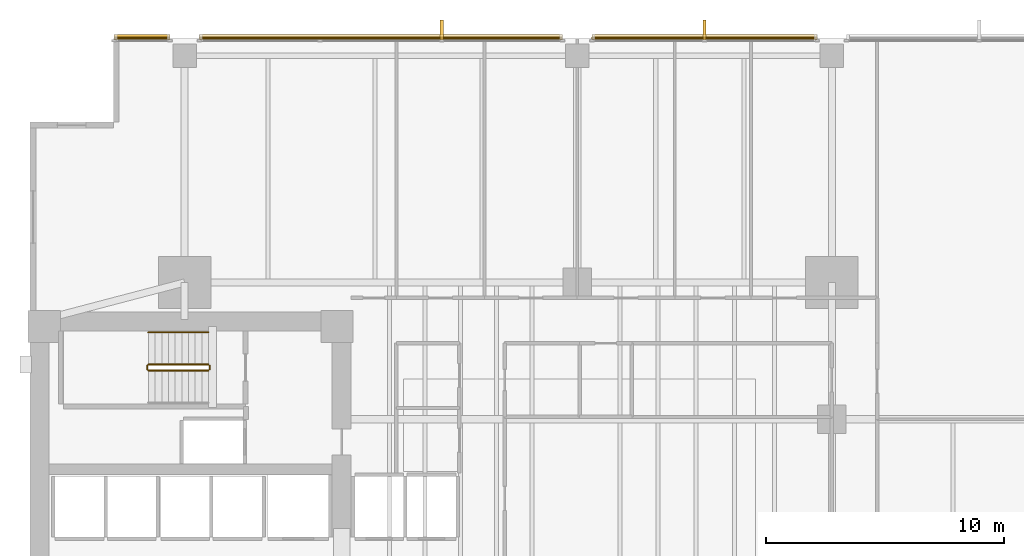
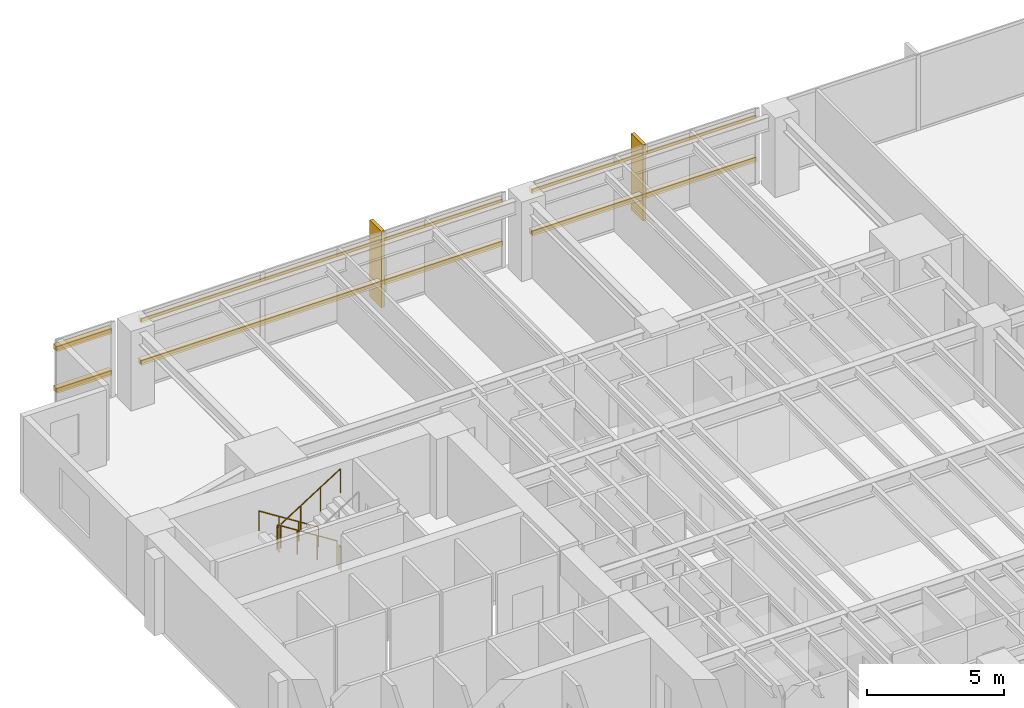
# One storey, part 14 of 15: 8 coverings, 6 shading devices, 5 railings.
"""IFC4 building model written with IfcOpenShell, lengths in metres."""

from ifc_helpers import new_model, si_unit, direction, frame, origin, origin_2d, place, context, subcontext, project, spatial, polyline, rectangle, circle, outline, extrude, material, layer, layer_set, material_profile, profile_set, type_object, element, save


model = new_model("IFC4")

# Units and contexts
model_context = context("Model", 3, precision=1e-05, world=origin(), true_north=direction((0.0, 1.0)))
body_context = subcontext(model_context, "Body", "Model", "MODEL_VIEW")
ifc_project = project(units=[si_unit("LENGTHUNIT", "METRE"), si_unit("AREAUNIT", "SQUARE_METRE"), si_unit("VOLUMEUNIT", "CUBIC_METRE"), si_unit("PLANEANGLEUNIT", "RADIAN"), si_unit("MASSUNIT", "GRAM", prefix="KILO")], contexts=[model_context])

# Site, building, storey
site_placement = place(None, origin())
site = spatial("IfcSite", under=ifc_project, at=site_placement, CompositionType="ELEMENT")
building_placement = place(site_placement, origin())
building = spatial("IfcBuilding", under=site, at=building_placement, Name="Kinhvarn Gate Tower", CompositionType="ELEMENT")
storey_placement = place(building_placement, frame((0.0, 0.0, 46.89990234375)))
storey = spatial("IfcBuildingStorey", under=building, at=storey_placement, Name="L11", CompositionType="ELEMENT", Elevation=46.89990234375)

# Coverings
ifc_material_1 = material(Name="Fired architectural terracotta", Category="masonry")
ifc_layer_1 = layer(ifc_material_1, 0.239990234375)
ifc_layer_set_1 = layer_set([ifc_layer_1], Name="Fired architectural terracotta")
covering_type_1 = type_object("IfcCoveringType", Name="COV-BAG-220", PredefinedType="CLADDING", material=ifc_layer_set_1)
for number, where, name in (
    (1, (0.0, 0.0, 0.940185546875), "Terracotta Horizontal Sunscreen Band TBG-220 (L11)"),
    (2, (0.0, 0.0, 2.81005859375), "Terracotta Horizontal Sunscreen Band TBG-220 (L11)"),
):
    element("IfcCovering", number, at=place(storey_placement, frame(where)), inside=storey, type_object=covering_type_1, Name=name, PredefinedType="CLADDING", context=body_context, shape_type="SweptSolid", body=[
        extrude(outline(polyline([(37.580078125, 47.93994140625), (28.1201171875, 47.93994140625), (28.1201171875, 48.179931640625), (37.580078125, 48.179931640625), (37.580078125, 47.93994140625)])), origin(), (0.0, 0.0, 1.0), 0.219970703125),
    ])
for number, where, name in (
    (3, (0.0, 0.0, 0.940185546875), "Terracotta Horizontal Sunscreen Band TBG-220 (L11)"),
    (4, (0.0, 0.0, 2.81005859375), "Terracotta Horizontal Sunscreen Band TBG-220 (L11)"),
):
    element("IfcCovering", number, at=place(storey_placement, frame(where)), inside=storey, type_object=covering_type_1, Name=name, PredefinedType="CLADDING", context=body_context, shape_type="SweptSolid", body=[
        extrude(outline(polyline([(26.8798828125, 47.93994140625), (11.6201171875, 47.93994140625), (11.6201171875, 48.179931640625), (26.8798828125, 48.179931640625), (26.8798828125, 47.93994140625)])), origin(), (0.0, 0.0, 1.0), 0.219970703125),
    ])
for number, where, name in (
    (5, (0.0, 0.0, 0.940185546875), "Terracotta Horizontal Sunscreen Band TBG-220 (L11)"),
    (6, (0.0, 0.0, 2.81005859375), "Terracotta Horizontal Sunscreen Band TBG-220 (L11)"),
):
    element("IfcCovering", number, at=place(storey_placement, frame(where)), inside=storey, type_object=covering_type_1, Name=name, PredefinedType="CLADDING", context=body_context, shape_type="SweptSolid", body=[
        extrude(outline(polyline([(10.3798828125, 47.93994140625), (8.0400390625, 47.93994140625), (8.0400390625, 48.179931640625), (10.3798828125, 48.179931640625), (10.3798828125, 47.93994140625)])), origin(), (0.0, 0.0, 1.0), 0.219970703125),
    ])
ifc_layer_2 = layer(ifc_material_1, 0.139892578125)
ifc_layer_set_2 = layer_set([ifc_layer_2], Name="Fired architectural terracotta")
covering_type_2 = type_object("IfcCoveringType", Name="COV-FIN-850", PredefinedType="CLADDING", material=ifc_layer_set_2)
covering_1_placement = place(storey_placement, frame((0.0, 0.0, -0.02001953125)))
element("IfcCovering", 7, at=covering_1_placement, inside=storey, type_object=covering_type_2, Name="Vertical Terracotta Expressive Fin TFN-850 (L11)", PredefinedType="CLADDING", context=body_context, shape_type="SweptSolid", body=[
    extrude(outline(polyline([(32.919921875, 47.929931640625), (32.780029296875, 47.929931640625), (32.780029296875, 48.780029296875), (32.919921875, 48.780029296875), (32.919921875, 47.929931640625)])), origin(), (0.0, 0.0, 1.0), 3.41015625),
])
covering_2_placement = place(storey_placement, frame((0.0, 0.0, -0.02001953125)))
element("IfcCovering", 8, at=covering_2_placement, inside=storey, type_object=covering_type_2, Name="Vertical Terracotta Expressive Fin TFN-850 (L11)", PredefinedType="CLADDING", context=body_context, shape_type="SweptSolid", body=[
    extrude(outline(polyline([(21.876708984375, 47.929931640625), (21.73681640625, 47.929931640625), (21.73681640625, 48.780029296875), (21.876708984375, 48.780029296875), (21.876708984375, 47.929931640625)])), origin(), (0.0, 0.0, 1.0), 3.41015625),
])

# Railings
ifc_material_2 = material(Name="Steel S355", Category="steel")
railing_type_1 = type_object("IfcRailingType", Name="RL-ST-GRD", PredefinedType="BALUSTRADE", material=ifc_material_2)
railing_1_placement = place(storey_placement, frame((12.0, 34.300048828125, 0.177490234375)))
element("IfcRailing", 9, at=railing_1_placement, inside=storey, type_object=railing_type_1, Name="L11 ST2 stair guard 1", PredefinedType="BALUSTRADE", context=body_context, shape_type="SweptSolid", body=[
    extrude(circle(Radius=0.02392578125, at=origin_2d()), frame((0.0, 0.0, 1.076171875), z_axis=(-0.84456994832, 0.0, 0.535445237532), x_axis=(0.0, -1.0, 0.0)), (0.0, 0.0, 1.0), 2.98388671875),
    extrude(circle(Radius=0.02099609375, at=origin_2d()), origin(), (0.0, 0.0, 1.0), 1.052001953125),
    extrude(circle(Radius=0.02099609375, at=origin_2d()), frame((-0.840087890625, 0.0, 0.532470703125)), (0.0, 0.0, 1.0), 1.052001953125),
    extrude(circle(Radius=0.02099609375, at=origin_2d()), frame((-1.679931640625, 0.0, 1.065185546875)), (0.0, 0.0, 1.0), 1.052001953125),
    extrude(circle(Radius=0.02099609375, at=origin_2d()), frame((-2.52001953125, 0.0, 1.59765625)), (0.0, 0.0, 1.0), 1.052001953125),
])
railing_2_placement = place(storey_placement, frame((9.429931640625, 34.25, 1.775146484375)))
element("IfcRailing", 10, at=railing_2_placement, inside=storey, type_object=railing_type_1, Name="L11 ST2 stair guard 2", PredefinedType="BALUSTRADE", context=body_context, shape_type="SweptSolid", body=[
    extrude(circle(Radius=0.02392578125, at=origin_2d()), frame((0.0, 0.0, 1.076171875), z_axis=(0.0, -1.0, 0.0), x_axis=(1.0, 0.0, 0.0)), (0.0, 0.0, 1.0), 0.14990234375),
    extrude(circle(Radius=0.02099609375, at=origin_2d()), origin(), (0.0, 0.0, 1.0), 1.052001953125),
    extrude(circle(Radius=0.02099609375, at=origin_2d()), frame((0.0, -0.14990234375, 0.0)), (0.0, 0.0, 1.0), 1.052001953125),
])
railing_3_placement = place(storey_placement, frame((9.47998046875, 34.050048828125, 1.95263671875)))
element("IfcRailing", 11, at=railing_3_placement, inside=storey, type_object=railing_type_1, Name="L11 ST2 stair guard 3", PredefinedType="BALUSTRADE", context=body_context, shape_type="SweptSolid", body=[
    extrude(circle(Radius=0.02392578125, at=origin_2d()), frame((0.0, 0.0, 1.076171875), z_axis=(0.84460694969, 0.0, 0.535386869969), x_axis=(0.0, 1.0, 0.0)), (0.0, 0.0, 1.0), 2.983642578125),
    extrude(circle(Radius=0.02099609375, at=origin_2d()), origin(), (0.0, 0.0, 1.0), 1.052001953125),
    extrude(circle(Radius=0.02099609375, at=origin_2d()), frame((0.840087890625, 0.0, 0.532470703125)), (0.0, 0.0, 1.0), 1.052001953125),
    extrude(circle(Radius=0.02099609375, at=origin_2d()), frame((1.679931640625, 0.0, 1.06494140625)), (0.0, 0.0, 1.0), 1.052001953125),
    extrude(circle(Radius=0.02099609375, at=origin_2d()), frame((2.52001953125, 0.0, 1.597412109375)), (0.0, 0.0, 1.0), 1.052001953125),
])
railing_4_placement = place(storey_placement, frame((12.050048828125, 34.25, 0.0)))
element("IfcRailing", 12, at=railing_4_placement, inside=storey, type_object=railing_type_1, Name="L11 ST2 stair guard 4", PredefinedType="BALUSTRADE", context=body_context, shape_type="SweptSolid", body=[
    extrude(circle(Radius=0.02392578125, at=origin_2d()), frame((0.0, 0.0, 1.076171875), z_axis=(0.0, -1.0, 0.0), x_axis=(1.0, 0.0, 0.0)), (0.0, 0.0, 1.0), 0.14990234375),
    extrude(circle(Radius=0.02099609375, at=origin_2d()), origin(), (0.0, 0.0, 1.0), 1.052001953125),
    extrude(circle(Radius=0.02099609375, at=origin_2d()), frame((0.0, -0.14990234375, 0.0)), (0.0, 0.0, 1.0), 1.052001953125),
])
railing_type_2 = type_object("IfcRailingType", Name="RL-ST-HND", PredefinedType="HANDRAIL", material=ifc_material_2)
railing_5_placement = place(storey_placement, frame((12.0, 35.64990234375, 0.177490234375)))
element("IfcRailing", 13, at=railing_5_placement, inside=storey, type_object=railing_type_2, Name="L11 ST2 stair handrail 1", PredefinedType="HANDRAIL", context=body_context, shape_type="SweptSolid", body=[
    extrude(circle(Radius=0.02392578125, at=origin_2d()), frame((0.0, 0.0, 0.8759765625), z_axis=(-0.84456994832, 0.0, 0.535445237532), x_axis=(0.0, -1.0, 0.0)), (0.0, 0.0, 1.0), 2.98388671875),
    extrude(circle(Radius=0.02099609375, at=origin_2d()), origin(), (0.0, 0.0, 1.0), 0.851806640625),
    extrude(circle(Radius=0.02099609375, at=origin_2d()), frame((-0.840087890625, 0.0, 0.532470703125)), (0.0, 0.0, 1.0), 0.851806640625),
    extrude(circle(Radius=0.02099609375, at=origin_2d()), frame((-1.679931640625, 0.0, 1.065185546875)), (0.0, 0.0, 1.0), 0.851806640625),
    extrude(circle(Radius=0.02099609375, at=origin_2d()), frame((-2.52001953125, 0.0, 1.59765625)), (0.0, 0.0, 1.0), 0.851806640625),
])

# Shading devices
ifc_material_profile = material_profile(ifc_material_1, rectangle(XDim=0.06005859375, YDim=0.139892578125, at=origin_2d()), Name="TC 60x140")
ifc_profile_set = profile_set([ifc_material_profile], Name="Fired architectural terracotta")
shading_device_type = type_object("IfcShadingDeviceType", Name="SHD-BAG-180", PredefinedType="USERDEFINED", material=ifc_profile_set)
for number, where, z_axis, x_axis, name in (
    (14, (37.580078125, 48.014892578125, 1.050048828125), (-1.0, 0.0, 0.0), (0.0, -1.0, 0.0), "Fired Terracotta Baguette Screen Rod 60x140 mm (L11)"),
    (15, (37.580078125, 48.014892578125, 2.920166015625), (-1.0, 0.0, 0.0), (0.0, -1.0, 0.0), "Fired Terracotta Baguette Screen Rod 60x140 mm (L11)"),
):
    element("IfcShadingDevice", number, at=place(storey_placement, frame(where, z_axis=z_axis, x_axis=x_axis)), inside=storey, type_object=shading_device_type, Name=name, ObjectType="BAGUETTE", PredefinedType="USERDEFINED", context=body_context, shape_type="SweptSolid", body=[
        extrude(rectangle(XDim=0.06005859375, YDim=0.139892578125, at=origin_2d()), origin(), (0.0, 0.0, 1.0), 9.4599609375),
    ])
for number, where, z_axis, x_axis, name in (
    (16, (26.8798828125, 48.014892578125, 1.050048828125), (-1.0, 0.0, 0.0), (0.0, -1.0, 0.0), "Fired Terracotta Baguette Screen Rod 60x140 mm (L11)"),
    (17, (26.8798828125, 48.014892578125, 2.920166015625), (-1.0, 0.0, 0.0), (0.0, -1.0, 0.0), "Fired Terracotta Baguette Screen Rod 60x140 mm (L11)"),
):
    element("IfcShadingDevice", number, at=place(storey_placement, frame(where, z_axis=z_axis, x_axis=x_axis)), inside=storey, type_object=shading_device_type, Name=name, ObjectType="BAGUETTE", PredefinedType="USERDEFINED", context=body_context, shape_type="SweptSolid", body=[
        extrude(rectangle(XDim=0.06005859375, YDim=0.139892578125, at=origin_2d()), origin(), (0.0, 0.0, 1.0), 15.259765625),
    ])
for number, where, z_axis, x_axis, name in (
    (18, (10.3798828125, 48.014892578125, 1.050048828125), (-1.0, 0.0, 0.0), (0.0, -1.0, 0.0), "Fired Terracotta Baguette Screen Rod 60x140 mm (L11)"),
    (19, (10.3798828125, 48.014892578125, 2.920166015625), (-1.0, 0.0, 0.0), (0.0, -1.0, 0.0), "Fired Terracotta Baguette Screen Rod 60x140 mm (L11)"),
):
    element("IfcShadingDevice", number, at=place(storey_placement, frame(where, z_axis=z_axis, x_axis=x_axis)), inside=storey, type_object=shading_device_type, Name=name, ObjectType="BAGUETTE", PredefinedType="USERDEFINED", context=body_context, shape_type="SweptSolid", body=[
        extrude(rectangle(XDim=0.06005859375, YDim=0.139892578125, at=origin_2d()), origin(), (0.0, 0.0, 1.0), 2.33984375),
    ])

save(model, "model.ifc")
